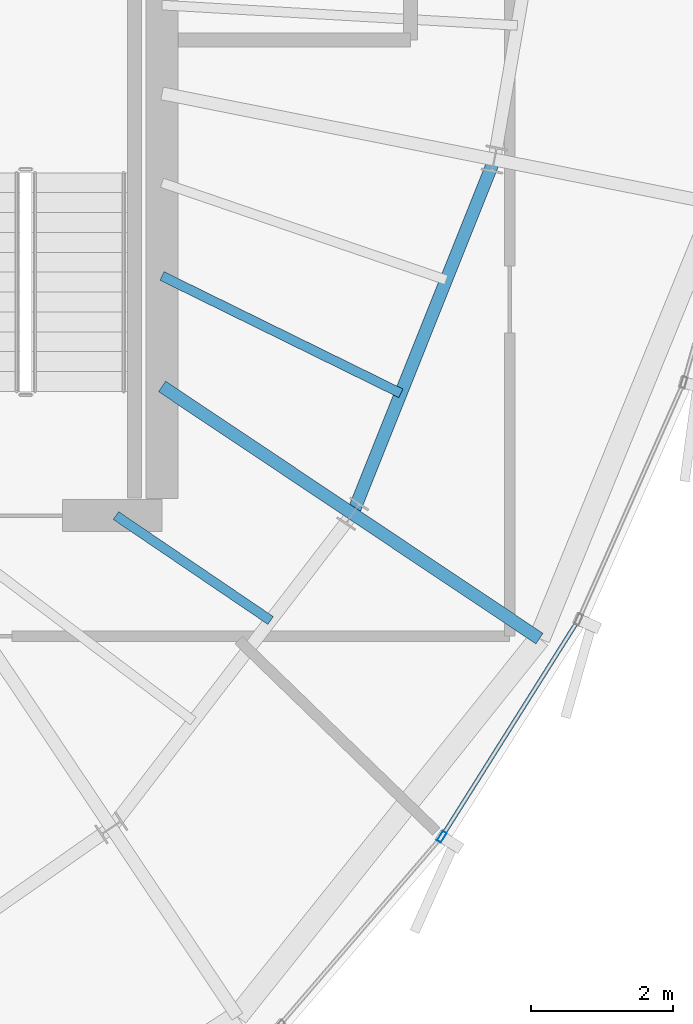
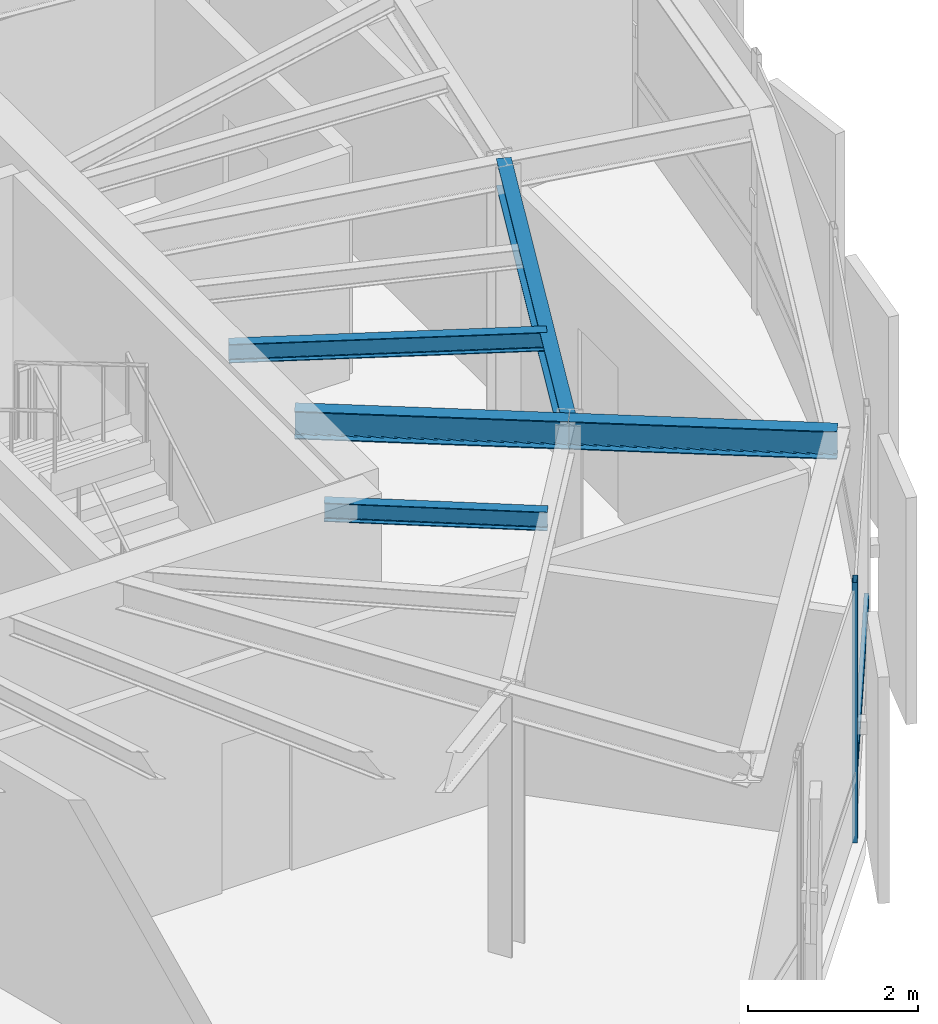
# One storey, part 9 of 26: 5 beams, 2 members, 1 element without a shape of its own.
"""IFC4 building model written with IfcOpenShell, lengths in metres."""

from ifc_helpers import new_model, si_unit, direction, frame, origin, origin_2d, place, context, subcontext, project, spatial, hollow_rectangle, i_section, extrude, source, transform, mapped, material, layer, layer_set, material_profile, profile_set, type_object, element, aggregate, save


model = new_model("IFC4")

# Units and contexts
model_context = context("Model", 3, precision=1e-05, world=origin(), true_north=direction((0.0, 1.0)))
body_context = subcontext(model_context, "Body", "Model", "MODEL_VIEW")
ifc_project = project(units=[si_unit("LENGTHUNIT", "METRE"), si_unit("AREAUNIT", "SQUARE_METRE"), si_unit("VOLUMEUNIT", "CUBIC_METRE"), si_unit("PLANEANGLEUNIT", "RADIAN"), si_unit("MASSUNIT", "GRAM", prefix="KILO"), si_unit("THERMODYNAMICTEMPERATUREUNIT", "KELVIN")], contexts=[model_context])

# Site, building, storey
site_placement = place(None, origin())
site = spatial("IfcSite", under=ifc_project, at=site_placement, CompositionType="ELEMENT")
building_placement = place(site_placement, origin())
building = spatial("IfcBuilding", under=site, at=building_placement, Name="Kethvar Cultural Tower", CompositionType="ELEMENT")
storey_placement = place(building_placement, frame((0.0, 0.0, 316.300048828125)))
storey = spatial("IfcBuildingStorey", under=building, at=storey_placement, Name="L84", CompositionType="ELEMENT", Elevation=316.300048828125)

# Beams
ifc_material_1 = material(Name="Steel S355J2", Category="steel")
ifc_material_profile_1 = material_profile(ifc_material_1, i_section(OverallWidth=0.135009765625, OverallDepth=0.27001953125, WebThickness=0.006591796875, FlangeThickness=0.01025390625, FilletRadius=0.014892578125, at=origin_2d()), Name="Steel S355J2 — IPE270")
ifc_profile_set_1 = profile_set([ifc_material_profile_1], Name="Steel S355J2 — IPE270")
beam_type_1 = type_object("IfcBeamType", Name="BM-J270", PredefinedType="JOIST", material=ifc_profile_set_1)
shared_shape_1 = source(origin(), body_context, "Body", "SweptSolid", [
    extrude(i_section(OverallWidth=0.135009765625, OverallDepth=0.27001953125, WebThickness=0.006591796875, FlangeThickness=0.01025390625, FilletRadius=0.014892578125, at=origin_2d()), origin(), (0.0, 0.0, 1.0), 2.635009765625),
])
beam_1_placement = place(storey_placement, frame((54.949951171875, 20.10009765625, 3.597900390625), z_axis=(0.827446562598, -0.561544464887, 0.0), x_axis=(0.561544464887, 0.827446562598, 0.0)))
element("IfcBeam", 1, at=beam_1_placement, inside=storey, type_object=beam_type_1, Name="L84 Composite Floor Joist J-14B", PredefinedType="JOIST", context=body_context, shape_type="MappedRepresentation", body=[
    mapped(shared_shape_1, transform((0.0, 0.0, 0.0), scale=1.0)),
])
shared_shape_2 = source(origin(), body_context, "Body", "SweptSolid", [
    extrude(i_section(OverallWidth=0.135009765625, OverallDepth=0.27001953125, WebThickness=0.006591796875, FlangeThickness=0.01025390625, FilletRadius=0.014892578125, at=origin_2d()), origin(), (0.0, 0.0, 1.0), 3.75),
])
beam_2_placement = place(storey_placement, frame((55.60009765625, 23.476318359375, 3.597900390625), z_axis=(0.8975046019, -0.441005090184, 0.0), x_axis=(0.441005090184, 0.8975046019, 0.0)))
element("IfcBeam", 2, at=beam_2_placement, inside=storey, type_object=beam_type_1, Name="L84 Composite Floor Joist J-15A", PredefinedType="JOIST", context=body_context, shape_type="MappedRepresentation", body=[
    mapped(shared_shape_2, transform((0.0, 0.0, 0.0), scale=1.0)),
])
ifc_material_profile_2 = material_profile(ifc_material_1, i_section(OverallWidth=0.179931640625, OverallDepth=0.39990234375, WebThickness=0.008544921875, FlangeThickness=0.013427734375, FilletRadius=0.02099609375, at=origin_2d()), Name="Steel S355J2 — IPE400")
ifc_profile_set_2 = profile_set([ifc_material_profile_2], Name="Steel S355J2 — IPE400")
beam_type_2 = type_object("IfcBeamType", Name="BM-IPE400", PredefinedType="BEAM", material=ifc_profile_set_2)
shared_shape_3 = source(origin(), body_context, "Body", "SweptSolid", [
    extrude(i_section(OverallWidth=0.179931640625, OverallDepth=0.39990234375, WebThickness=0.008544921875, FlangeThickness=0.013427734375, FilletRadius=0.02099609375, at=origin_2d()), origin(), (0.0, 0.0, 1.0), 3.231689453125),
])
beam_3_placement = place(storey_placement, frame((55.60009765625, 21.919921875, 3.532958984375), z_axis=(0.831468708055, -0.55557158632, 0.0), x_axis=(0.55557158632, 0.831468708055, 0.0)))
element("IfcBeam", 3, at=beam_3_placement, inside=storey, type_object=beam_type_2, Name="L84 Primary Radial Beam RB-15", PredefinedType="BEAM", context=body_context, shape_type="MappedRepresentation", body=[
    mapped(shared_shape_3, transform((0.0, 0.0, 0.0), scale=1.0)),
])
shared_shape_4 = source(origin(), body_context, "Body", "SweptSolid", [
    extrude(i_section(OverallWidth=0.179931640625, OverallDepth=0.39990234375, WebThickness=0.008544921875, FlangeThickness=0.013427734375, FilletRadius=0.02099609375, at=origin_2d()), origin(), (0.0, 0.0, 1.0), 5.377685546875),
])
beam_4_placement = place(storey_placement, frame((58.287109375, 20.12451171875, 3.532958984375), z_axis=(0.371265436914, 0.928526776864, 0.0), x_axis=(-0.928526776864, 0.371265436914, 0.0)))
element("IfcBeam", 4, at=beam_4_placement, inside=storey, type_object=beam_type_2, Name="L84 Column Ring Tie Beam CR-15", PredefinedType="BEAM", context=body_context, shape_type="MappedRepresentation", body=[
    mapped(shared_shape_4, transform((0.0, 0.0, 0.0), scale=1.0)),
])
shared_shape_5 = source(origin(), body_context, "Body", "SweptSolid", [
    extrude(i_section(OverallWidth=0.179931640625, OverallDepth=0.39990234375, WebThickness=0.008544921875, FlangeThickness=0.013427734375, FilletRadius=0.02099609375, at=origin_2d()), origin(), (0.0, 0.0, 1.0), 3.166259765625),
])
beam_5_placement = place(storey_placement, frame((58.287109375, 20.12451171875, 3.532958984375), z_axis=(0.831468552707, -0.555571818813, 0.0), x_axis=(0.555571818813, 0.831468552707, 0.0)))
element("IfcBeam", 5, at=beam_5_placement, inside=storey, type_object=beam_type_2, Name="L84 Perimeter Cantilever Beam RC-15", PredefinedType="BEAM", context=body_context, shape_type="MappedRepresentation", body=[
    mapped(shared_shape_5, transform((0.0, 0.0, 0.0), scale=1.0)),
])

# Curtain wall, members
ifc_material_2 = material(Name="Aluminium 6063-T6", Category="aluminium")
ifc_layer = layer(ifc_material_2, 0.179931640625, Name="Aluminium 6063-T6", Category="aluminium")
ifc_layer_set = layer_set([ifc_layer], Name="Aluminium 6063-T6 (180 mm)")
curtain_wall_type = type_object("IfcCurtainWallType", Name="CW-SYS-06-CROWN", PredefinedType="NOTDEFINED", material=ifc_layer_set)
curtain_wall_placement = place(storey_placement, origin())
curtain_wall = element("IfcCurtainWall", 6, at=curtain_wall_placement, inside=storey, type_object=curtain_wall_type, Name="L84 Curtain Wall Run 05", PredefinedType="NOTDEFINED")
ifc_material_profile_3 = material_profile(ifc_material_2, hollow_rectangle(XDim=0.06494140625, YDim=0.159912109375, WallThickness=0.0048828125, at=origin_2d()), Name="Aluminium 6063-T6 — RHS160x65x5")
ifc_profile_set_3 = profile_set([ifc_material_profile_3], Name="Aluminium 6063-T6 — RHS160x65x5")
member_type_1 = type_object("IfcMemberType", Name="CW-SYS-06-CROWN-MUL", PredefinedType="MULLION", material=ifc_profile_set_3)
shared_shape_6 = source(origin(), body_context, "Body", "SweptSolid", [
    extrude(hollow_rectangle(XDim=0.06494140625, YDim=0.159912109375, WallThickness=0.0048828125, at=origin_2d()), origin(), (0.0, 0.0, 1.0), 3.73486328125),
])
member_1_placement = place(storey_placement, frame((59.543212890625, 15.57177734375, 0.0), z_axis=(0.0, 0.0, 1.0), x_axis=(-0.846286157694, 0.532728579387, 0.0)))
member_1 = element("IfcMember", 7, at=member_1_placement, type_object=member_type_1, Name="CW-L84-R05 Mullion 2", PredefinedType="MULLION", context=body_context, shape_type="MappedRepresentation", body=[
    mapped(shared_shape_6, transform((0.0, 0.0, 0.0), scale=1.0)),
])
ifc_material_profile_4 = material_profile(ifc_material_2, hollow_rectangle(XDim=0.06005859375, YDim=0.139892578125, WallThickness=0.0048828125, at=origin_2d()), Name="Aluminium 6063-T6 — RHS140x60x5")
ifc_profile_set_4 = profile_set([ifc_material_profile_4], Name="Aluminium 6063-T6 — RHS140x60x5")
member_type_2 = type_object("IfcMemberType", Name="CW-SYS-06-CROWN-TRN", PredefinedType="USERDEFINED", material=ifc_profile_set_4)
shared_shape_7 = source(origin(), body_context, "Body", "SweptSolid", [
    extrude(hollow_rectangle(XDim=0.06005859375, YDim=0.139892578125, WallThickness=0.0048828125, at=origin_2d()), origin(), (0.0, 0.0, 1.0), 3.542724609375),
])
member_2_placement = place(storey_placement, frame((59.568115234375, 15.611328125, 0.949951171875), z_axis=(0.532690806295, 0.846309934296, 0.0), x_axis=(-0.846309934296, 0.532690806295, 0.0)))
member_2 = element("IfcMember", 8, at=member_2_placement, type_object=member_type_2, Name="CW-L84-R05 Transom 2", ObjectType="TRANSOM", PredefinedType="USERDEFINED", context=body_context, shape_type="MappedRepresentation", body=[
    mapped(shared_shape_7, transform((0.0, 0.0, 0.0), scale=1.0)),
])
aggregate(curtain_wall, [member_1, member_2])

save(model, "model.ifc")
